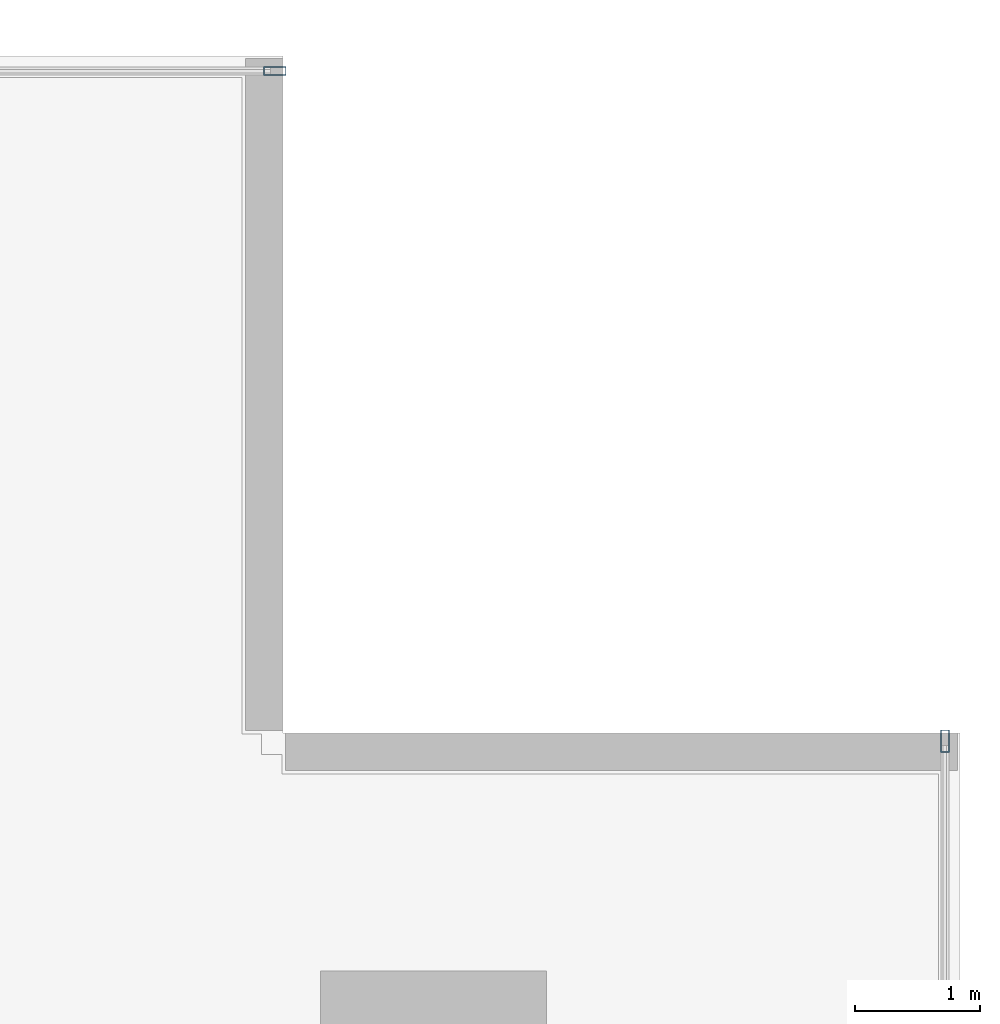
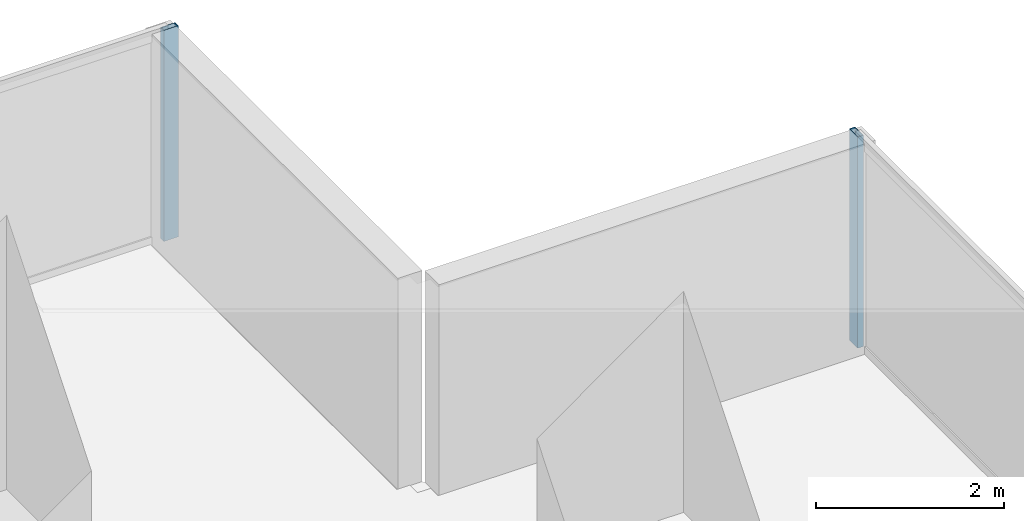
# One storey, part 23 of 33: 2 members, 2 elements without a shape of their own.
"""IFC4 building model written with IfcOpenShell, lengths in metres."""

from ifc_helpers import new_model, si_unit, direction, frame, origin, origin_2d, place, context, subcontext, project, spatial, hollow_rectangle, extrude, source, transform, mapped, material, layer, layer_set, material_profile, profile_set, type_object, element, aggregate, save


model = new_model("IFC4")

# Units and contexts
model_context = context("Model", 3, precision=1e-05, world=origin(), true_north=direction((0.0, 1.0)))
body_context = subcontext(model_context, "Body", "Model", "MODEL_VIEW")
ifc_project = project(units=[si_unit("LENGTHUNIT", "METRE"), si_unit("AREAUNIT", "SQUARE_METRE"), si_unit("VOLUMEUNIT", "CUBIC_METRE"), si_unit("PLANEANGLEUNIT", "RADIAN"), si_unit("MASSUNIT", "GRAM", prefix="KILO")], contexts=[model_context])

# Site, building, storey
site_placement = place(None, origin())
site = spatial("IfcSite", under=ifc_project, at=site_placement, CompositionType="ELEMENT")
building_placement = place(site_placement, origin())
building = spatial("IfcBuilding", under=site, at=building_placement, Name="Sumidabori Civic Tower", CompositionType="ELEMENT")
storey_placement = place(building_placement, frame((0.0, 0.0, 30.800048828125)))
storey = spatial("IfcBuildingStorey", under=building, at=storey_placement, Name="L07", CompositionType="ELEMENT", Elevation=30.800048828125)

# Curtain wall, member
ifc_material = material(Name="Anodised Bronze Aluminium AW-6063-T6", Category="aluminium")
ifc_layer = layer(ifc_material, 0.179931640625, Name="Anodised Bronze Aluminium AW-6063-T6")
ifc_layer_set = layer_set([ifc_layer], Name="Anodised Bronze Aluminium AW-6063-T6")
curtain_wall_type = type_object("IfcCurtainWallType", Name="CW-SYS-2", PredefinedType="NOTDEFINED", material=ifc_layer_set)
curtain_wall_1_placement = place(storey_placement, origin())
curtain_wall_1 = element("IfcCurtainWall", 1, at=curtain_wall_1_placement, inside=storey, type_object=curtain_wall_type, Name="Curtain Wall CW:L07:R04", PredefinedType="NOTDEFINED")
ifc_material_profile = material_profile(ifc_material, hollow_rectangle(XDim=0.070068359375, YDim=0.179931640625, WallThickness=0.006103515625, at=origin_2d()), Name="ALU MULLION 180x70")
ifc_profile_set = profile_set([ifc_material_profile], Name="Anodised Bronze Aluminium AW-6063-T6")
member_type = type_object("IfcMemberType", Name="CW-MUL-180", PredefinedType="MULLION", material=ifc_profile_set)
shared_shape = source(origin(), body_context, "Body", "SweptSolid", [
    extrude(hollow_rectangle(XDim=0.070068359375, YDim=0.179931640625, WallThickness=0.006103515625, at=origin_2d()), origin(), (0.0, 0.0, 1.0), 2.739990234375),
])
member_1_placement = place(storey_placement, frame((26.8798828125, 21.534912109375, 0.0), z_axis=(0.0, 0.0, 1.0), x_axis=(-1.0, 0.0, 0.0)))
member_1 = element("IfcMember", 2, at=member_1_placement, type_object=member_type, Name="CW-2 mullion 6", PredefinedType="MULLION", context=body_context, shape_type="MappedRepresentation", body=[
    mapped(shared_shape, transform((0.0, 0.0, 0.0), x_axis=(1.0, 0.0, 0.0), y_axis=(0.0, 1.0, 0.0), z_axis=(0.0, 0.0, 1.0), scale=1.0)),
])
aggregate(curtain_wall_1, [member_1])

curtain_wall_2_placement = place(storey_placement, origin())
curtain_wall_2 = element("IfcCurtainWall", 3, at=curtain_wall_2_placement, inside=storey, type_object=curtain_wall_type, Name="Curtain Wall CW:L07:R07", PredefinedType="NOTDEFINED")
member_2_placement = place(storey_placement, frame((21.534912109375, 26.8798828125, 0.0), z_axis=(0.0, 0.0, 1.0), x_axis=(0.0, -1.0, 0.0)))
member_2 = element("IfcMember", 4, at=member_2_placement, type_object=member_type, Name="CW-2 mullion 1", PredefinedType="MULLION", context=body_context, shape_type="MappedRepresentation", body=[
    mapped(shared_shape, transform((0.0, 0.0, 0.0), x_axis=(1.0, 0.0, 0.0), y_axis=(0.0, 1.0, 0.0), z_axis=(0.0, 0.0, 1.0), scale=1.0)),
])
aggregate(curtain_wall_2, [member_2])

save(model, "model.ifc")
